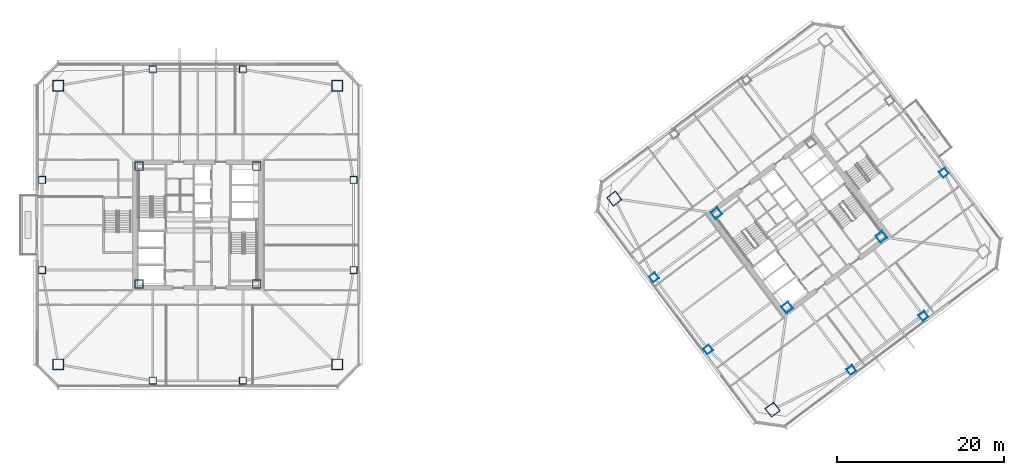
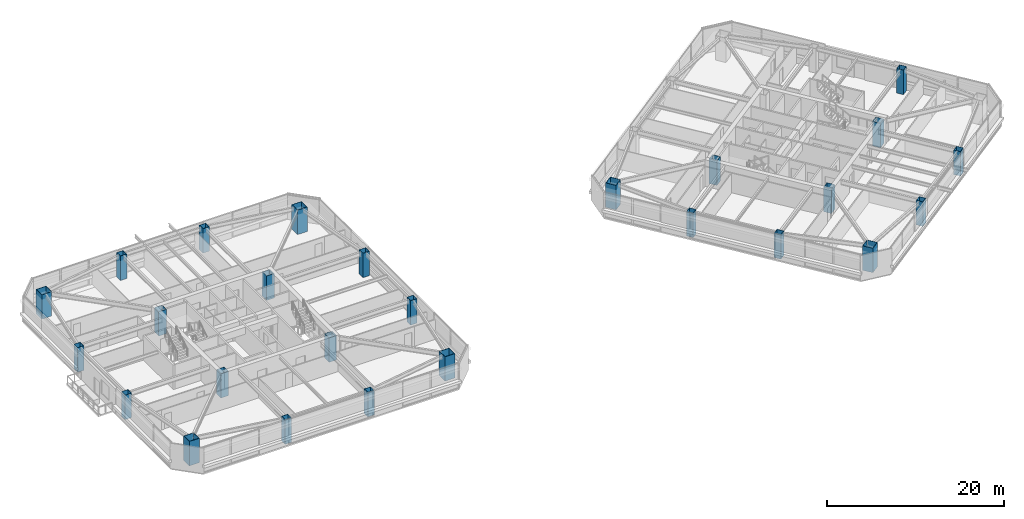
# One storey, part 1 of 46: 26 columns.
"""IFC4 building model written with IfcOpenShell, lengths in metres."""

import ifcopenshell
import ifcopenshell.guid

model = None  # the IFC model being written
_history = None  # IfcOwnerHistory: only IFC2X3 demands one
_inside = {}  # id of a spatial element -> (the spatial element, [elements in it])
_under = {}  # id of a project, library or spatial element -> (it, [spatial elements below it])
_declared = {}  # id of a project -> (the project, [libraries it declares])
_typed = {}  # id of a type object -> (the type object, [elements of that type])
_made_of = {}  # id of a material, layer set ... -> (it, [elements and type objects made of it])


def new_model(schema):
    """Start an empty IFC model of exactly this schema.

    Asked for "IFC4X3", IfcOpenShell would pick the latest addendum, in which some entities
    have other attributes; the version numbers below select the first issue.
    IFC2X3 requires an IfcOwnerHistory on every rooted entity: one is made here for all.
    """
    global model, _history
    if schema == "IFC4X3":
        model = ifcopenshell.file(schema_version=(4, 3, 0, 0))
    else:
        model = ifcopenshell.file(schema=schema)
    _inside.clear()
    _under.clear()
    _declared.clear()
    _typed.clear()
    _made_of.clear()
    _history = None
    if model.schema == "IFC2X3":
        org = make("IfcOrganization", Name="unknown")
        user = make(
            "IfcPersonAndOrganization",
            ThePerson=make("IfcPerson", FamilyName="unknown"),
            TheOrganization=org,
        )
        app = make(
            "IfcApplication",
            ApplicationDeveloper=org,
            Version="unknown",
            ApplicationFullName="unknown",
            ApplicationIdentifier="unknown",
        )
        _history = make(
            "IfcOwnerHistory",
            OwningUser=user,
            OwningApplication=app,
            ChangeAction="ADDED",
            CreationDate=0,
        )
    return model


def make(cls, **values):
    """One entity of the class cls with the attributes given. An attribute that is None is left unset."""
    return model.create_entity(
        cls, **{name: value for name, value in values.items() if value is not None}
    )


def rooted(cls, **values):
    """An entity with a GlobalId (a new one), such as an element, a storey or a relation."""
    return make(cls, GlobalId=ifcopenshell.guid.new(), OwnerHistory=_history, **values)


def si_unit(unit_type, name, prefix=None):
    """IfcSIUnit, for example si_unit("LENGTHUNIT", "METRE", prefix="MILLI")."""
    return make("IfcSIUnit", UnitType=unit_type, Prefix=prefix, Name=name)


def assignment(units):
    """IfcUnitAssignment: the units of a project."""
    return None if units is None else make("IfcUnitAssignment", Units=units)


def point(xyz):
    """IfcCartesianPoint."""
    return None if xyz is None else make("IfcCartesianPoint", Coordinates=xyz)


def direction(xyz):
    """IfcDirection."""
    return None if xyz is None else make("IfcDirection", DirectionRatios=xyz)


def frame(location, z_axis=None, x_axis=None):
    """IfcAxis2Placement3D, a coordinate frame: its origin and axes. An axis left out is left unset."""
    return make(
        "IfcAxis2Placement3D",
        Location=point(location),
        Axis=direction(z_axis),
        RefDirection=direction(x_axis),
    )


def frame_2d(location, x_axis=None):
    """IfcAxis2Placement2D, a coordinate frame in the plane: its origin and x axis."""
    return make(
        "IfcAxis2Placement2D", Location=point(location), RefDirection=direction(x_axis)
    )


def origin():
    """The frame at (0, 0, 0) with its axes left unset."""
    return frame((0.0, 0.0, 0.0))


def origin_2d():
    """The frame at (0, 0) in the plane with its x axis left unset."""
    return frame_2d((0.0, 0.0))


def place(relative_to, where):
    """IfcLocalPlacement: puts the frame where relative to a parent placement (None: the world)."""
    return make(
        "IfcLocalPlacement", PlacementRelTo=relative_to, RelativePlacement=where
    )


def context(
    kind, dimensions, precision=None, world=None, true_north=None, identifier=None
):
    """IfcGeometricRepresentationContext, for example the 3D "Model" context."""
    return make(
        "IfcGeometricRepresentationContext",
        ContextIdentifier=identifier,
        ContextType=kind,
        CoordinateSpaceDimension=dimensions,
        Precision=precision,
        WorldCoordinateSystem=world,
        TrueNorth=true_north,
    )


def subcontext(parent, identifier, kind, view, scale=None):
    """IfcGeometricRepresentationSubContext, for example "Body" below "Model"."""
    return make(
        "IfcGeometricRepresentationSubContext",
        ContextIdentifier=identifier,
        ContextType=kind,
        ParentContext=parent,
        TargetScale=scale,
        TargetView=view,
    )


def project(units=None, contexts=None):
    """IfcProject with its units and contexts."""
    return rooted(
        "IfcProject",
        Name="project",
        RepresentationContexts=contexts,
        UnitsInContext=assignment(units),
    )


def spatial(cls, under=None, at=None, **own):
    """A site, building, storey or space (cls), placed at a placement, below another one or the project."""
    s = rooted(cls, ObjectPlacement=at, **own)
    if under is not None:
        _under.setdefault(under.id(), (under, []))[1].append(s)
    return s


def profile(cls, at=None, kind="AREA", **sizes):
    """A parametric profile (cls). Its sizes go by their IFC names, for example OverallWidth=200.0."""
    return make(cls, ProfileType=kind, Position=at, **sizes)


def hollow_rectangle(**sizes):
    """IfcRectangleHollowProfileDef."""
    return profile("IfcRectangleHollowProfileDef", **sizes)


def extrude(swept, where, along, depth):
    """IfcExtrudedAreaSolid: the profile swept, set in the frame where, extruded along a direction by depth."""
    return make(
        "IfcExtrudedAreaSolid",
        SweptArea=swept,
        Position=where,
        ExtrudedDirection=direction(along),
        Depth=depth,
    )


def shape(context_of_items, identifier, shape_type, items):
    """IfcShapeRepresentation: the items that make up one representation, for example the "Body"."""
    return make(
        "IfcShapeRepresentation",
        ContextOfItems=context_of_items,
        RepresentationIdentifier=identifier,
        RepresentationType=shape_type,
        Items=items,
    )


def material(Name=None, Category=None):
    """IfcMaterial."""
    return make("IfcMaterial", Name=Name, Category=Category)


def material_profile(
    of_material, cross_section, Name=None, Category=None, Priority=None
):
    """IfcMaterialProfile: a cross section and its material."""
    return make(
        "IfcMaterialProfile",
        Name=Name,
        Material=of_material,
        Profile=cross_section,
        Priority=Priority,
        Category=Category,
    )


def profile_set(profiles, Name=None, composite=None):
    """IfcMaterialProfileSet."""
    return make(
        "IfcMaterialProfileSet",
        Name=Name,
        MaterialProfiles=profiles,
        CompositeProfile=composite,
    )


def made_of(thing, what):
    """Note that an element or type object is made of a material, layer set ...; save() writes the relation."""
    if what is not None:
        _made_of.setdefault(what.id(), (what, []))[1].append(thing)
    return thing


def type_object(cls, material=None, **own):
    """A type object (cls), such as IfcWallType, which elements share."""
    return made_of(rooted(cls, **own), material)


def element(
    cls,
    number,
    at=None,
    inside=None,
    cuts=None,
    type_object=None,
    material=None,
    context=None,
    identifier="Body",
    shape_type=None,
    held_by="IfcProductDefinitionShape",
    body=None,
    shapes=None,
    **own,
):
    """One element of the class cls, such as IfcWall. Its Tag is "e" and its number.

    at: its placement. inside: the storey or other place that contains it. cuts: it is an
    opening in that element (IfcRelVoidsElement). A single representation is given by context,
    identifier, shape_type and body (its items); several are given by shapes. held_by: the class
    of the entity that holds the representations. save() writes the other relations.
    """
    e = rooted(cls, Tag="e%d" % number, ObjectPlacement=at, **own)
    if body is not None:
        shapes = [shape(context, identifier, shape_type, body)]
    if shapes is not None:
        e.Representation = make(held_by, Representations=shapes)
    if inside is not None:
        _inside.setdefault(inside.id(), (inside, []))[1].append(e)
    if cuts is not None:
        rooted(
            "IfcRelVoidsElement", RelatingBuildingElement=cuts, RelatedOpeningElement=e
        )
    if type_object is not None:
        _typed.setdefault(type_object.id(), (type_object, []))[1].append(e)
    return made_of(e, material)


def aggregate(whole, parts):
    """IfcRelAggregates: a whole, such as a stair, and the parts it consists of."""
    return rooted("IfcRelAggregates", RelatingObject=whole, RelatedObjects=parts)


def save(model, path):
    """Write the relations noted so far, then the file.

    IfcRelAggregates (storeys below a building ...), IfcRelContainedInSpatialStructure (elements
    in a storey), IfcRelDefinesByType, IfcRelAssociatesMaterial and IfcRelDeclares: one each for
    every whole, place, type object, material and project.
    """
    for whole, parts in _under.values():
        aggregate(whole, parts)
    for where, things in _inside.values():
        rooted(
            "IfcRelContainedInSpatialStructure",
            RelatedElements=things,
            RelatingStructure=where,
        )
    for kind, things in _typed.values():
        rooted("IfcRelDefinesByType", RelatedObjects=things, RelatingType=kind)
    for what, things in _made_of.values():
        rooted("IfcRelAssociatesMaterial", RelatedObjects=things, RelatingMaterial=what)
    for by, libraries in _declared.values():
        rooted("IfcRelDeclares", RelatingContext=by, RelatedDefinitions=libraries)
    model.write(path)


model = new_model("IFC4")

# Units and contexts
model_context = context("Model", 3, precision=1e-05, world=origin(), true_north=direction((0.0, 1.0)))
body_context = subcontext(model_context, "Body", "Model", "MODEL_VIEW")
ifc_project = project(units=[si_unit("LENGTHUNIT", "METRE"), si_unit("AREAUNIT", "SQUARE_METRE"), si_unit("VOLUMEUNIT", "CUBIC_METRE"), si_unit("PLANEANGLEUNIT", "RADIAN"), si_unit("MASSUNIT", "GRAM", prefix="KILO")], contexts=[model_context])

# Site, building, storey
site_placement = place(None, origin())
site = spatial("IfcSite", under=ifc_project, at=site_placement, CompositionType="ELEMENT")
building_placement = place(site_placement, origin())
building = spatial("IfcBuilding", under=site, at=building_placement, Name="Tashvorn Skyway Center", CompositionType="ELEMENT")
storey_placement = place(building_placement, frame((0.0, 0.0, 132.14990234375)))
storey = spatial("IfcBuildingStorey", under=building, at=storey_placement, Name="L35", CompositionType="ELEMENT", Elevation=132.14990234375)

# Columns
ifc_material = material(Name="Steel ASTM A572 Grade 50", Category="steel")
ifc_material_profile_1 = material_profile(ifc_material, hollow_rectangle(XDim=1.0, YDim=1.0, WallThickness=0.0400390625, at=origin_2d()), Name="BOX1000x1000x40")
ifc_profile_set_1 = profile_set([ifc_material_profile_1], Name="Steel ASTM A572 Grade 50")
column_type_1 = type_object("IfcColumnType", Name="COL-BOX1000x1000x40", PredefinedType="COLUMN", material=ifc_profile_set_1)
for number, where, z_axis, x_axis, name in (
    (1, (34.949951171875, 24.949951171875, 0.0), (0.0, 0.0, 1.0), (1.0, 0.0, 0.0), "Tower 1 L35 Core Corner Column CC-SW"),
    (2, (49.050048828125, 24.949951171875, 0.0), (0.0, 0.0, 1.0), (1.0, 0.0, 0.0), "Tower 1 L35 Core Corner Column CC-SE"),
    (3, (49.050048828125, 39.050048828125, 0.0), (0.0, 0.0, 1.0), (1.0, 0.0, 0.0), "Tower 1 L35 Core Corner Column CC-NE"),
    (4, (34.949951171875, 39.050048828125, 0.0), (0.0, 0.0, 1.0), (1.0, 0.0, 0.0), "Tower 1 L35 Core Corner Column CC-NW"),
    (5, (112.590087890625, 22.1298828125, 0.0), (0.0, 0.0, 1.0), (0.799999996291, 0.600000004945, 0.0), "Tower 2 L35 Core Corner Column CC-SW"),
    (6, (123.8701171875, 30.590087890625, 0.0), (0.0, 0.0, 1.0), (0.799999996291, 0.600000004945, 0.0), "Tower 2 L35 Core Corner Column CC-SE"),
    (7, (104.1298828125, 33.409912109375, 0.0), (0.0, 0.0, 1.0), (0.799999996291, 0.600000004945, 0.0), "Tower 2 L35 Core Corner Column CC-NW"),
):
    element("IfcColumn", number, at=place(storey_placement, frame(where, z_axis=z_axis, x_axis=x_axis)), inside=storey, type_object=column_type_1, Name=name, PredefinedType="COLUMN", context=body_context, shape_type="SweptSolid", body=[
        extrude(hollow_rectangle(XDim=1.0, YDim=1.0, WallThickness=0.0400390625, at=origin_2d()), origin(), (0.0, 0.0, 1.0), 3.3701171875),
    ])
ifc_material_profile_2 = material_profile(ifc_material, hollow_rectangle(XDim=1.300048828125, YDim=1.300048828125, WallThickness=0.050048828125, at=origin_2d()), Name="BOX1300x1300x50")
ifc_profile_set_2 = profile_set([ifc_material_profile_2], Name="Steel ASTM A572 Grade 50")
column_type_2 = type_object("IfcColumnType", Name="COL-BOX1300x1300x50", PredefinedType="COLUMN", material=ifc_profile_set_2)
for number, where, z_axis, x_axis, name in (
    (8, (25.300048828125, 15.300048828125, 0.0), (0.0, 0.0, 1.0), (1.0, 0.0, 0.0), "Tower 1 L35 Mega-Column MC-SW"),
    (9, (58.699951171875, 15.300048828125, 0.0), (0.0, 0.0, 1.0), (1.0, 0.0, 0.0), "Tower 1 L35 Mega-Column MC-SE"),
    (10, (58.699951171875, 48.699951171875, 0.0), (0.0, 0.0, 1.0), (1.0, 0.0, 0.0), "Tower 1 L35 Mega-Column MC-NE"),
    (11, (25.300048828125, 48.699951171875, 0.0), (0.0, 0.0, 1.0), (1.0, 0.0, 0.0), "Tower 1 L35 Mega-Column MC-NW"),
    (12, (110.840087890625, 9.8798828125, 0.0), (0.0, 0.0, 1.0), (0.799999996291, 0.600000004945, 0.0), "Tower 2 L35 Mega-Column MC-SW"),
    (13, (91.8798828125, 35.159912109375, 0.0), (0.0, 0.0, 1.0), (0.799999996291, 0.600000004945, 0.0), "Tower 2 L35 Mega-Column MC-NW"),
):
    element("IfcColumn", number, at=place(storey_placement, frame(where, z_axis=z_axis, x_axis=x_axis)), inside=storey, type_object=column_type_2, Name=name, PredefinedType="COLUMN", context=body_context, shape_type="SweptSolid", body=[
        extrude(hollow_rectangle(XDim=1.300048828125, YDim=1.300048828125, WallThickness=0.050048828125, at=origin_2d()), origin(), (0.0, 0.0, 1.0), 3.3701171875),
    ])
ifc_material_profile_3 = material_profile(ifc_material, hollow_rectangle(XDim=0.85009765625, YDim=0.85009765625, WallThickness=0.034912109375, at=origin_2d()), Name="BOX850x850x35")
ifc_profile_set_3 = profile_set([ifc_material_profile_3], Name="Steel ASTM A572 Grade 50")
column_type_3 = type_object("IfcColumnType", Name="COL-BOX850x850x35", PredefinedType="COLUMN", material=ifc_profile_set_3)
for number, where, z_axis, x_axis, name in (
    (14, (36.60009765625, 13.35009765625, 0.0), (0.0, 0.0, 1.0), (1.0, 0.0, 0.0), "Tower 1 L35 Perimeter Column FC-S1"),
    (15, (47.39990234375, 13.35009765625, 0.0), (0.0, 0.0, 1.0), (1.0, 0.0, 0.0), "Tower 1 L35 Perimeter Column FC-S2"),
    (16, (60.64990234375, 26.60009765625, 0.0), (0.0, 0.0, 1.0), (1.0, 0.0, 0.0), "Tower 1 L35 Perimeter Column FC-E1"),
    (17, (60.64990234375, 37.39990234375, 0.0), (0.0, 0.0, 1.0), (1.0, 0.0, 0.0), "Tower 1 L35 Perimeter Column FC-E2"),
    (18, (47.39990234375, 50.64990234375, 0.0), (0.0, 0.0, 1.0), (1.0, 0.0, 0.0), "Tower 1 L35 Perimeter Column FC-N1"),
    (19, (36.60009765625, 50.64990234375, 0.0), (0.0, 0.0, 1.0), (1.0, 0.0, 0.0), "Tower 1 L35 Perimeter Column FC-N2"),
    (20, (23.35009765625, 37.39990234375, 0.0), (0.0, 0.0, 1.0), (1.0, 0.0, 0.0), "Tower 1 L35 Perimeter Column FC-W1"),
    (21, (23.35009765625, 26.60009765625, 0.0), (0.0, 0.0, 1.0), (1.0, 0.0, 0.0), "Tower 1 L35 Perimeter Column FC-W2"),
    (22, (120.27001953125, 14.639892578125, 0.0), (0.0, 0.0, 1.0), (0.799999996291, 0.600000004945, 0.0), "Tower 2 L35 Perimeter Column FC-S1"),
    (23, (128.909912109375, 21.1201171875, 0.0), (0.0, 0.0, 1.0), (0.799999996291, 0.600000004945, 0.0), "Tower 2 L35 Perimeter Column FC-S2"),
    (24, (131.360107421875, 38.27001953125, 0.0), (0.0, 0.0, 1.0), (0.799999996291, 0.600000004945, 0.0), "Tower 2 L35 Perimeter Column FC-E1"),
    (25, (96.639892578125, 25.72998046875, 0.0), (0.0, 0.0, 1.0), (0.799999996291, 0.600000004945, 0.0), "Tower 2 L35 Perimeter Column FC-W1"),
    (26, (103.1201171875, 17.090087890625, 0.0), (0.0, 0.0, 1.0), (0.799999996291, 0.600000004945, 0.0), "Tower 2 L35 Perimeter Column FC-W2"),
):
    element("IfcColumn", number, at=place(storey_placement, frame(where, z_axis=z_axis, x_axis=x_axis)), inside=storey, type_object=column_type_3, Name=name, PredefinedType="COLUMN", context=body_context, shape_type="SweptSolid", body=[
        extrude(hollow_rectangle(XDim=0.85009765625, YDim=0.85009765625, WallThickness=0.034912109375, at=origin_2d()), origin(), (0.0, 0.0, 1.0), 3.3701171875),
    ])

save(model, "model.ifc")
